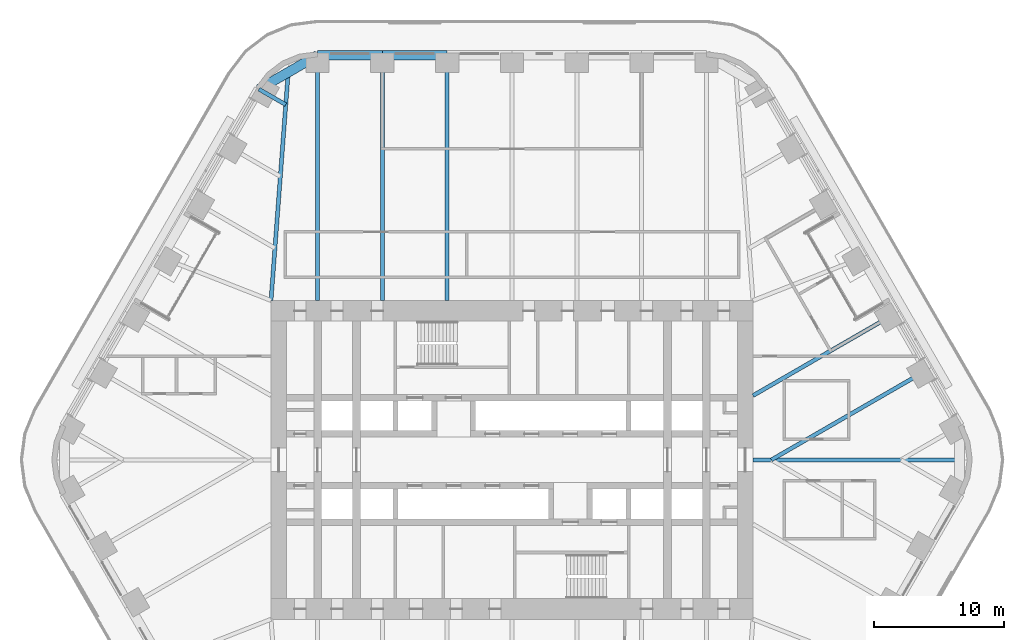
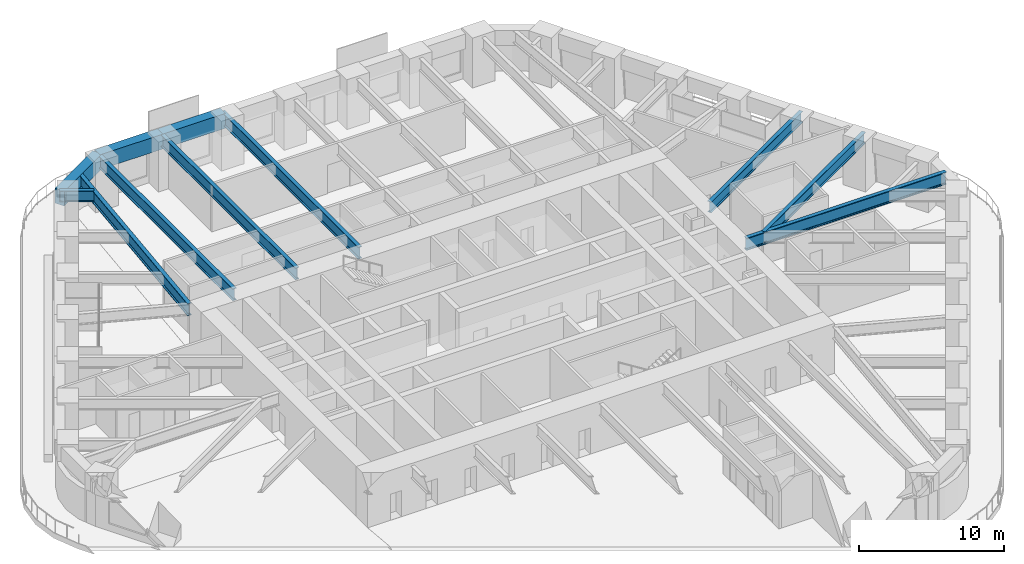
# One storey, part 10 of 24: 11 beams.
"""IFC4 building model written with IfcOpenShell, lengths in metres."""

from ifc_helpers import new_model, si_unit, direction, frame, origin, origin_2d, place, context, subcontext, project, spatial, rectangle, i_section, extrude, material, material_profile, profile_set, type_object, element, save


model = new_model("IFC4")

# Units and contexts
model_context = context("Model", 3, precision=1e-05, world=origin(), true_north=direction((0.0, 1.0)))
body_context = subcontext(model_context, "Body", "Model", "MODEL_VIEW")
ifc_project = project(units=[si_unit("LENGTHUNIT", "METRE"), si_unit("AREAUNIT", "SQUARE_METRE"), si_unit("VOLUMEUNIT", "CUBIC_METRE"), si_unit("PLANEANGLEUNIT", "RADIAN"), si_unit("MASSUNIT", "GRAM", prefix="KILO")], contexts=[model_context])

# Site, building, storey
site_placement = place(None, origin())
site = spatial("IfcSite", under=ifc_project, at=site_placement, CompositionType="ELEMENT")
building_placement = place(site_placement, origin())
building = spatial("IfcBuilding", under=site, at=building_placement, Name="Tarfa Lantern Tower", CompositionType="ELEMENT")
storey_placement = place(building_placement, frame((0.0, 0.0, 136.300048828125)))
storey = spatial("IfcBuildingStorey", under=building, at=storey_placement, Name="L30", CompositionType="ELEMENT", Elevation=136.300048828125)

# Beams
ifc_material_1 = material(Name="Concrete C80/95", Category="concrete")
ifc_material_profile_1 = material_profile(ifc_material_1, rectangle(XDim=0.75, YDim=1.25, at=origin_2d()), Name="RC 750x1250")
ifc_profile_set_1 = profile_set([ifc_material_profile_1], Name="Concrete C80/95")
beam_type_1 = type_object("IfcBeamType", Name="EB2 RC 750x1250", PredefinedType="SPANDREL", material=ifc_profile_set_1)
for number, where, z_axis, x_axis, name in (
    (1, (-5.003662109375, 31.219970703125, 3.375), (-1.0, 0.0, 0.0), (0.0, -1.0, 0.0), "Edge beam N4"),
    (2, (-10.00732421875, 31.219970703125, 3.375), (-1.0, 0.0, 0.0), (0.0, -1.0, 0.0), "Edge beam N5"),
):
    element("IfcBeam", number, at=place(storey_placement, frame(where, z_axis=z_axis, x_axis=x_axis)), inside=storey, type_object=beam_type_1, Name=name, PredefinedType="SPANDREL", context=body_context, shape_type="SweptSolid", body=[
        extrude(rectangle(XDim=0.75, YDim=1.25, at=origin_2d()), origin(), (0.0, 0.0, 1.0), 5.003662109375),
    ])
beam_1_placement = place(storey_placement, frame((-15.010986328125, 31.219970703125, 3.375), z_axis=(-0.86604150238, -0.499972115377, 0.0), x_axis=(0.499972115377, -0.86604150238, 0.0)))
element("IfcBeam", 3, at=beam_1_placement, inside=storey, type_object=beam_type_1, Name="Edge beam N6", PredefinedType="SPANDREL", context=body_context, shape_type="SweptSolid", body=[
    extrude(rectangle(XDim=0.75, YDim=1.25, at=origin_2d()), origin(), (0.0, 0.0, 1.0), 5.219970703125),
])
ifc_material_2 = material(Name="Steel S460M", Category="steel")
ifc_material_profile_2 = material_profile(ifc_material_2, i_section(OverallWidth=0.302001953125, OverallDepth=1.008056640625, WebThickness=0.02099609375, FlangeThickness=0.0400390625, FilletRadius=0.030029296875, at=origin_2d()), Name="UB1016x305x349")
ifc_profile_set_2 = profile_set([ifc_material_profile_2], Name="Steel S460M")
beam_type_2 = type_object("IfcBeamType", Name="UB1016x305x349", PredefinedType="BEAM", material=ifc_profile_set_2)
for number, where, z_axis, x_axis, name in (
    (4, (-5.003662109375, 31.219970703125, 3.495849609375), (0.0, -1.0, 0.0), (1.0, 0.0, 0.0), "Floor beam N4"),
    (5, (-10.00732421875, 31.219970703125, 3.495849609375), (0.0, -1.0, 0.0), (1.0, 0.0, 0.0), "Floor beam N5"),
    (6, (-15.010986328125, 31.219970703125, 3.495849609375), (0.0, -1.0, 0.0), (1.0, 0.0, 0.0), "Floor beam N6"),
):
    element("IfcBeam", number, at=place(storey_placement, frame(where, z_axis=z_axis, x_axis=x_axis)), inside=storey, type_object=beam_type_2, Name=name, PredefinedType="BEAM", context=body_context, shape_type="SweptSolid", body=[
        extrude(i_section(OverallWidth=0.302001953125, OverallDepth=1.008056640625, WebThickness=0.02099609375, FlangeThickness=0.0400390625, FilletRadius=0.030029296875, at=origin_2d()), origin(), (0.0, 0.0, 1.0), 18.919921875),
    ])
ifc_material_profile_3 = material_profile(ifc_material_2, i_section(OverallWidth=0.30859375, OverallDepth=1.036376953125, WebThickness=0.030029296875, FlangeThickness=0.05419921875, FilletRadius=0.030029296875, at=origin_2d()), Name="UB1016x305x487")
ifc_profile_set_3 = profile_set([ifc_material_profile_3], Name="Steel S460M")
beam_type_3 = type_object("IfcBeamType", Name="UB1016x305x487", PredefinedType="BEAM", material=ifc_profile_set_3)
beam_2_placement = place(storey_placement, frame((18.60009765625, 0.0, 3.481689453125), z_axis=(1.0, 0.0, 0.0), x_axis=(0.0, 1.0, 0.0)))
element("IfcBeam", 7, at=beam_2_placement, inside=storey, type_object=beam_type_3, Name="Hip girder E", PredefinedType="BEAM", context=body_context, shape_type="SweptSolid", body=[
    extrude(i_section(OverallWidth=0.30859375, OverallDepth=1.036376953125, WebThickness=0.030029296875, FlangeThickness=0.05419921875, FilletRadius=0.030029296875, at=origin_2d()), origin(), (0.0, 0.0, 1.0), 15.94287109375),
])
beam_3_placement = place(storey_placement, frame((-18.60009765625, 12.300048828125, 3.481689453125), z_axis=(0.075211516041, 0.99716760269, 0.0), x_axis=(-0.99716760269, 0.075211516041, 0.0)))
element("IfcBeam", 8, at=beam_3_placement, inside=storey, type_object=beam_type_3, Name="Hip girder NW", PredefinedType="BEAM", context=body_context, shape_type="SweptSolid", body=[
    extrude(i_section(OverallWidth=0.30859375, OverallDepth=1.036376953125, WebThickness=0.030029296875, FlangeThickness=0.05419921875, FilletRadius=0.030029296875, at=origin_2d()), origin(), (0.0, 0.0, 1.0), 17.6650390625),
])
ifc_material_profile_4 = material_profile(ifc_material_2, i_section(OverallWidth=0.305419921875, OverallDepth=0.91845703125, WebThickness=0.017333984375, FlangeThickness=0.02783203125, FilletRadius=0.01904296875, at=origin_2d()), Name="UB914x305x253")
ifc_profile_set_4 = profile_set([ifc_material_profile_4], Name="Steel S460M")
beam_type_4 = type_object("IfcBeamType", Name="UB914x305x253", PredefinedType="BEAM", material=ifc_profile_set_4)
beam_4_placement = place(storey_placement, frame((32.041015625, 6.943359375, 3.540771484375), z_axis=(-0.866023096411, -0.500003996466, 0.0), x_axis=(0.500003996466, -0.866023096411, 0.0)))
element("IfcBeam", 9, at=beam_4_placement, inside=storey, type_object=beam_type_4, Name="Floor beam NE1", PredefinedType="BEAM", context=body_context, shape_type="SweptSolid", body=[
    extrude(i_section(OverallWidth=0.305419921875, OverallDepth=0.91845703125, WebThickness=0.017333984375, FlangeThickness=0.02783203125, FilletRadius=0.01904296875, at=origin_2d()), origin(), (0.0, 0.0, 1.0), 13.88671875),
])
beam_5_placement = place(storey_placement, frame((29.5390625, 11.276611328125, 3.540771484375), z_axis=(-0.866023362995, -0.500003534735, 0.0), x_axis=(0.500003534735, -0.866023362995, 0.0)))
element("IfcBeam", 10, at=beam_5_placement, inside=storey, type_object=beam_type_4, Name="Floor beam NE2", PredefinedType="BEAM", context=body_context, shape_type="SweptSolid", body=[
    extrude(i_section(OverallWidth=0.305419921875, OverallDepth=0.91845703125, WebThickness=0.017333984375, FlangeThickness=0.02783203125, FilletRadius=0.01904296875, at=origin_2d()), origin(), (0.0, 0.0, 1.0), 12.63134765625),
])
beam_6_placement = place(storey_placement, frame((-19.53173828125, 28.610107421875, 3.540771484375), z_axis=(0.865998640954, -0.500046351717, 0.0), x_axis=(0.500046351717, 0.865998640954, 0.0)))
element("IfcBeam", 11, at=beam_6_placement, inside=storey, type_object=beam_type_4, Name="Floor beam NW0", PredefinedType="BEAM", context=body_context, shape_type="SweptSolid", body=[
    extrude(i_section(OverallWidth=0.305419921875, OverallDepth=0.91845703125, WebThickness=0.017333984375, FlangeThickness=0.02783203125, FilletRadius=0.01904296875, at=origin_2d()), origin(), (0.0, 0.0, 1.0), 2.392333984375),
])

save(model, "model.ifc")
